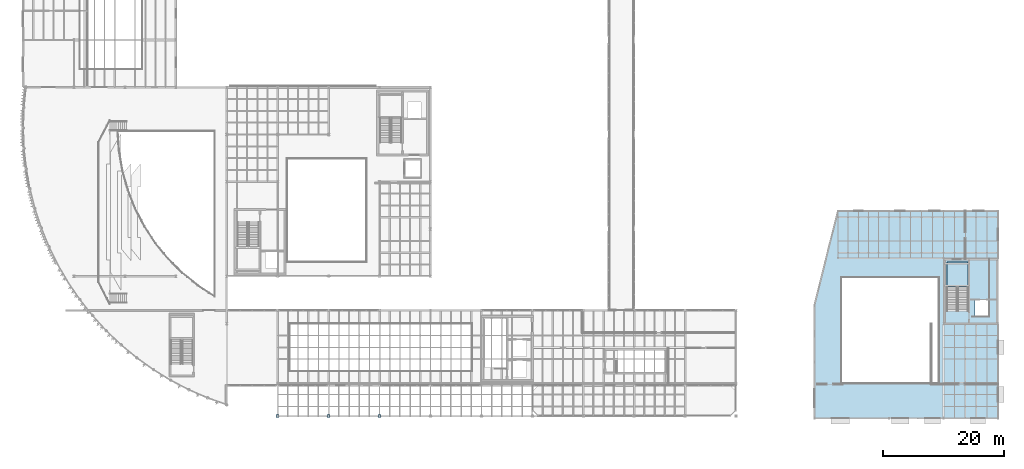
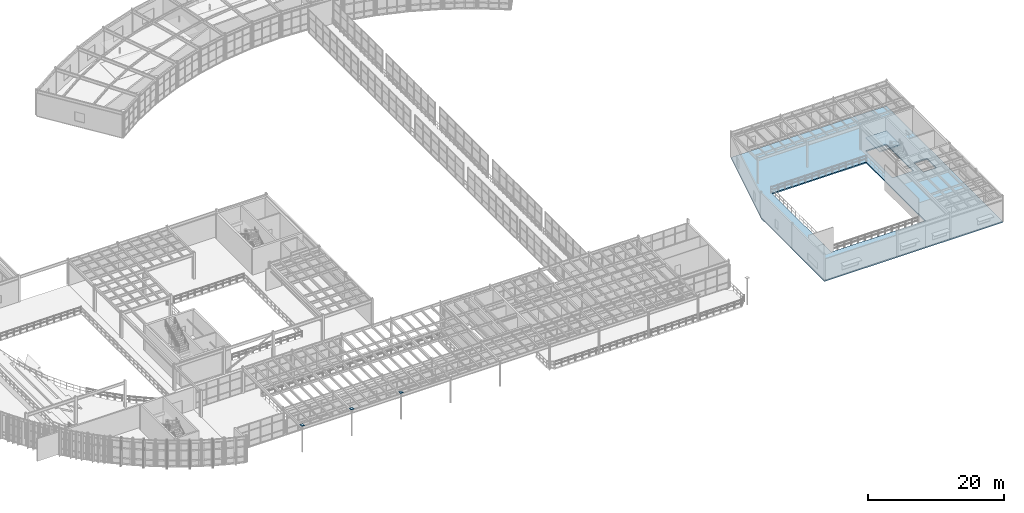
# One storey, part 83 of 105: 3 plates, 2 slabs, 1 element without a shape of its own.
"""IFC4 building model written with IfcOpenShell, lengths in metres."""

from ifc_helpers import new_model, si_unit, direction, frame, origin, origin_2d, place, context, subcontext, project, spatial, polyline, rectangle, outline, extrude, material, layer, layer_set, type_object, element, aggregate, save


model = new_model("IFC4")

# Units and contexts
model_context = context("Model", 3, precision=1e-05, world=origin(), true_north=direction((0.0, 1.0)))
body_context = subcontext(model_context, "Body", "Model", "MODEL_VIEW")
ifc_project = project(units=[si_unit("LENGTHUNIT", "METRE"), si_unit("AREAUNIT", "SQUARE_METRE"), si_unit("VOLUMEUNIT", "CUBIC_METRE"), si_unit("PLANEANGLEUNIT", "RADIAN"), si_unit("MASSUNIT", "GRAM", prefix="KILO")], contexts=[model_context])

# Site, building, storey
site_placement = place(None, origin())
site = spatial("IfcSite", under=ifc_project, at=site_placement, CompositionType="ELEMENT")
building_placement = place(site_placement, origin())
building = spatial("IfcBuilding", under=site, at=building_placement, Name="Selat Folded Stagehouse", CompositionType="ELEMENT")
storey_placement = place(building_placement, frame((0.0, 0.0, 10.199951171875)))
storey = spatial("IfcBuildingStorey", under=building, at=storey_placement, Name="L02", CompositionType="ELEMENT", Elevation=10.199951171875)

# Plates
ifc_material_1 = material(Name="Steel S355", Category="steel")
ifc_layer_1 = layer(ifc_material_1, 0.02490234375)
ifc_layer_set_1 = layer_set([ifc_layer_1], Name="Steel S355")
plate_type = type_object("IfcPlateType", Name="PLT-BASE-500x500x25", PredefinedType="USERDEFINED", material=ifc_layer_set_1)
for number, where, z_axis, x_axis, name in (
    (1, (42.0, 0.35009765625, 4.800048828125), (0.0, 0.0, 1.0), (1.0, 0.0, 0.0), "Hollow column end cap plate STK-COLPOST-42"),
    (2, (50.39990234375, 0.35009765625, 4.800048828125), (0.0, 0.0, 1.0), (1.0, 0.0, 0.0), "Hollow column end cap plate STK-COLPOST-50"),
    (3, (58.800048828125, 0.35009765625, 4.800048828125), (0.0, 0.0, 1.0), (1.0, 0.0, 0.0), "Hollow column end cap plate STK-COLPOST-58"),
):
    element("IfcPlate", number, at=place(storey_placement, frame(where, z_axis=z_axis, x_axis=x_axis)), inside=storey, type_object=plate_type, Name=name, ObjectType="BASE_PLATE", PredefinedType="USERDEFINED", context=body_context, shape_type="SweptSolid", body=[
        extrude(rectangle(XDim=0.5, YDim=0.5, at=origin_2d()), origin(), (0.0, 0.0, 1.0), 0.02490234375),
    ])

# Slab
ifc_material_2 = material(Name="Concrete C40/50", Category="concrete")
ifc_layer_2 = layer(ifc_material_2, 0.219970703125)
ifc_layer_set_2 = layer_set([ifc_layer_2], Name="Concrete C40/50")
slab_type_1 = type_object("IfcSlabType", Name="SLAB-FLR-220", PredefinedType="FLOOR", material=ifc_layer_set_2)
slab_1_placement = place(storey_placement, frame((0.0, 0.0, -0.219970703125)))
element("IfcSlab", 4, at=slab_1_placement, inside=storey, type_object=slab_type_1, Name="L02 V3 floor slab SL-L02-V3", PredefinedType="FLOOR", context=body_context, shape_type="SweptSolid", body=[
    extrude(outline(polyline([(130.510498046875, 0.0), (160.800048828125, 0.0), (160.800048828125, 34.199951171875), (134.39990234375, 34.199951171875), (130.510498046875, 18.60009765625), (130.510498046875, 0.0)]), holes=[polyline([(151.0, 23.199951171875), (151.0, 5.800048828125), (135.0, 5.800048828125), (135.0, 23.199951171875), (151.0, 23.199951171875)]), polyline([(157.0, 16.800048828125), (157.0, 19.60009765625), (159.199951171875, 19.60009765625), (159.199951171875, 16.800048828125), (157.0, 16.800048828125)]), polyline([(152.360107421875, 17.7900390625), (152.360107421875, 25.75), (155.8798828125, 25.75), (155.8798828125, 17.7900390625), (152.360107421875, 17.7900390625)])]), origin(), (0.0, 0.0, 1.0), 0.219970703125),
])

# Stair, slab
stair_type = type_object("IfcStairType", Name="STR-DOG-1680-30R", PredefinedType="HALF_TURN_STAIR", material=ifc_material_2)
stair_placement = place(storey_placement, origin())
stair = element("IfcStair", 5, at=stair_placement, inside=storey, type_object=stair_type, Name="L02 Core 4 Studio East Core", PredefinedType="HALF_TURN_STAIR")
ifc_layer_3 = layer(ifc_material_2, 0.199951171875)
ifc_layer_set_3 = layer_set([ifc_layer_3], Name="Concrete C40/50")
slab_type_2 = type_object("IfcSlabType", Name="SLAB-STR-LDG-200", PredefinedType="LANDING", material=ifc_layer_set_3)
slab_2_placement = place(storey_placement, frame((0.0, 0.0, 2.199951171875)))
slab_2 = element("IfcSlab", 6, at=slab_2_placement, type_object=slab_type_2, Name="ST-1680-30R landing 1", PredefinedType="LANDING", context=body_context, shape_type="SweptSolid", body=[
    extrude(outline(polyline([(155.8798828125, 21.6201171875), (155.8798828125, 25.75), (152.360107421875, 25.75), (152.360107421875, 21.6201171875), (155.8798828125, 21.6201171875)])), origin(), (0.0, 0.0, 1.0), 0.2001953125),
])
aggregate(stair, [slab_2])

save(model, "model.ifc")
